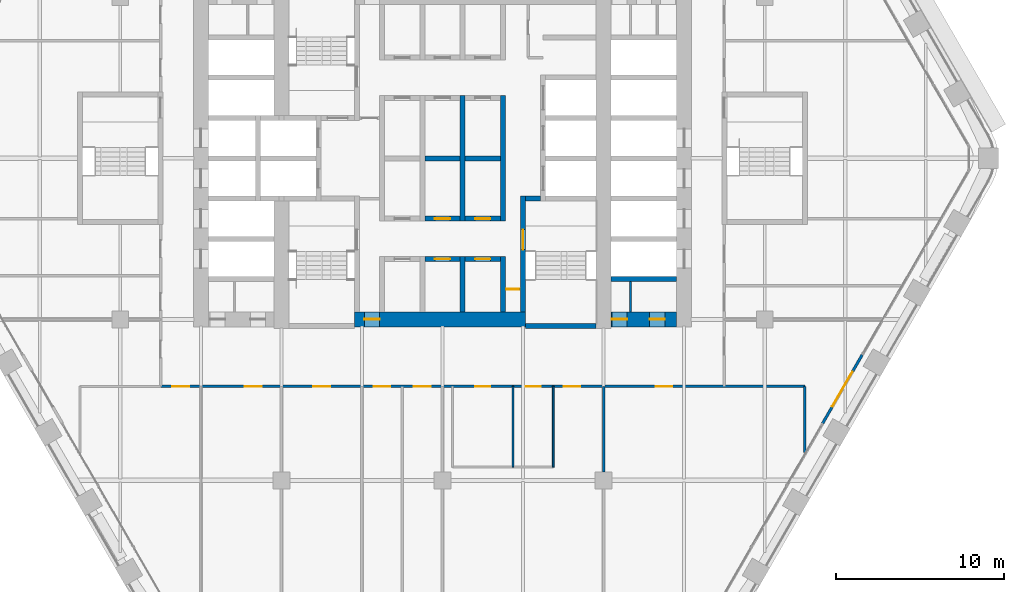
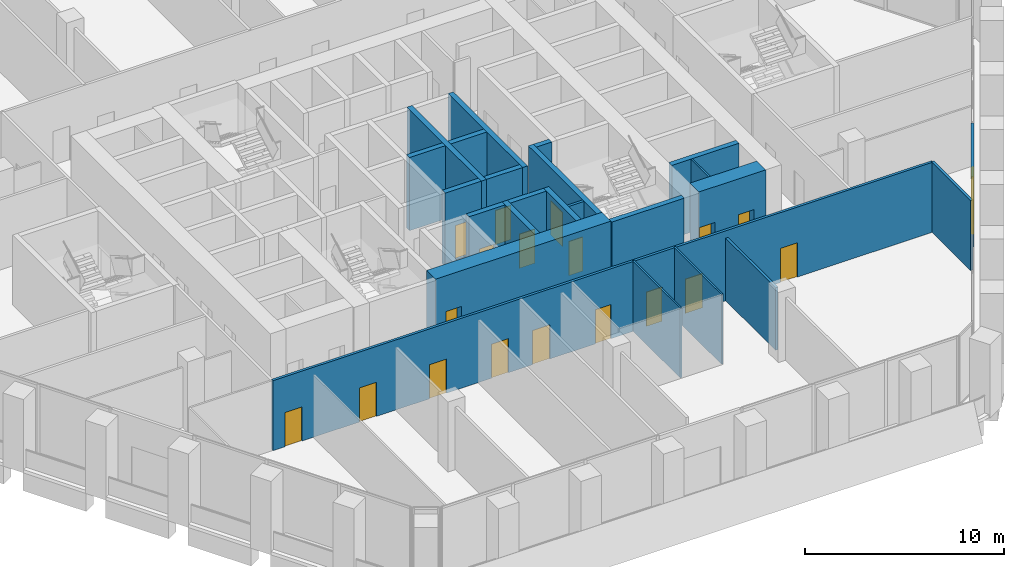
# One storey, part 14 of 23: 24 walls, 19 doors, 19 openings.
"""IFC4 building model written with IfcOpenShell, lengths in metres."""

from ifc_helpers import new_model, si_unit, direction, frame, frame_2d, origin, place, context, subcontext, project, spatial, rectangle, extrude, material, layer, layer_set, type_object, element, fill, save


model = new_model("IFC4")

# Units and contexts
model_context = context("Model", 3, precision=1e-05, world=origin(), true_north=direction((0.0, 1.0)))
body_context = subcontext(model_context, "Body", "Model", "MODEL_VIEW")
ifc_project = project(units=[si_unit("LENGTHUNIT", "METRE"), si_unit("AREAUNIT", "SQUARE_METRE"), si_unit("VOLUMEUNIT", "CUBIC_METRE"), si_unit("PLANEANGLEUNIT", "RADIAN"), si_unit("MASSUNIT", "GRAM", prefix="KILO")], contexts=[model_context])

# Site, building, storey
site_placement = place(None, origin())
site = spatial("IfcSite", under=ifc_project, at=site_placement, CompositionType="ELEMENT")
building_placement = place(site_placement, origin())
building = spatial("IfcBuilding", under=site, at=building_placement, Name="Kolab Exchange Tower", CompositionType="ELEMENT")
storey_placement = place(building_placement, frame((0.0, 0.0, 95.89990234375)))
storey = spatial("IfcBuildingStorey", under=building, at=storey_placement, Name="L18", CompositionType="ELEMENT", Elevation=95.89990234375)

# Wall, opening, door
ifc_material_1 = material(Name="Concrete C70/85", Category="concrete")
ifc_layer_1 = layer(ifc_material_1, 0.89990234375)
ifc_layer_set_1 = layer_set([ifc_layer_1], Name="Concrete C70/85")
wall_type_1 = type_object("IfcWallType", Name="CORE WALL 900 C70/85", PredefinedType="SHEAR", material=ifc_layer_set_1)
wall_1_placement = place(storey_placement, frame((-5.25, -9.60009765625, -0.199951171875), z_axis=(0.0, 0.0, 1.0), x_axis=(1.0, 0.0, 0.0)))
wall_1 = element("IfcWall", 1, at=wall_1_placement, inside=storey, type_object=wall_type_1, Name="wall/L18/core/003", PredefinedType="SHEAR", context=body_context, shape_type="SweptSolid", body=[
    extrude(rectangle(XDim=10.199951171875, YDim=0.89990234375, at=frame_2d((5.10009765625, 0.0))), origin(), (0.0, 0.0, 1.0), 4.5),
])
opening_1_placement = place(wall_1_placement, frame((0.60009765625, 0.0, 0.199951171875)))
opening_1 = element("IfcOpeningElement", 2, at=opening_1_placement, cuts=wall_1, Name="Opening D6-203", PredefinedType="OPENING", context=body_context, shape_type="SweptSolid", body=[
    extrude(rectangle(XDim=0.89990234375, YDim=2.10009765625, at=frame_2d((0.449951171875, 1.050048828125))), frame((0.0, 0.4599609375, 0.0), z_axis=(0.0, -1.0, 0.0), x_axis=(1.0, 0.0, 0.0)), (0.0, 0.0, 1.0), 0.919921875),
])
ifc_material_2 = material(Name="Steel S235", Category="steel")
door_type_1 = type_object("IfcDoorType", Name="CORE DOOR 900 EI 120", OperationType="SINGLE_SWING_LEFT", PredefinedType="DOOR", material=ifc_material_2)
door_1_placement = place(opening_1_placement, origin())
door_1 = element("IfcDoor", 3, at=door_1_placement, inside=storey, type_object=door_type_1, Name="Core lobby door", OperationType="SINGLE_SWING_RIGHT", OverallHeight=2.10009765625, OverallWidth=0.89990234375, PredefinedType="DOOR", context=body_context, shape_type="SweptSolid", body=[
    extrude(rectangle(XDim=0.89990234375, YDim=2.10009765625, at=frame_2d((0.449951171875, 1.050048828125))), frame((0.0, 0.02490234375, 0.0), z_axis=(0.0, -1.0, 0.0), x_axis=(1.0, 0.0, 0.0)), (0.0, 0.0, 1.0), 0.050048828125),
])
fill(opening_1, door_1)

# Wall, openings, doors
wall_2_placement = place(storey_placement, frame((10.050048828125, -9.60009765625, -0.199951171875), z_axis=(0.0, 0.0, 1.0), x_axis=(1.0, 0.0, 0.0)))
wall_2 = element("IfcWall", 4, at=wall_2_placement, inside=storey, type_object=wall_type_1, Name="wall/L18/core/004", PredefinedType="SHEAR", context=body_context, shape_type="SweptSolid", body=[
    extrude(rectangle(XDim=3.89990234375, YDim=0.89990234375, at=frame_2d((1.949951171875, 0.0))), origin(), (0.0, 0.0, 1.0), 4.5),
])
opening_2_placement = place(wall_2_placement, frame((0.050048828125, 0.0, 0.199951171875)))
opening_2 = element("IfcOpeningElement", 5, at=opening_2_placement, cuts=wall_2, Name="Opening D6-219", PredefinedType="OPENING", context=body_context, shape_type="SweptSolid", body=[
    extrude(rectangle(XDim=0.89990234375, YDim=2.10009765625, at=frame_2d((0.449951171875, 1.050048828125))), frame((0.0, 0.4599609375, 0.0), z_axis=(0.0, -1.0, 0.0), x_axis=(1.0, 0.0, 0.0)), (0.0, 0.0, 1.0), 0.919921875),
])
opening_3_placement = place(wall_2_placement, frame((2.300048828125, 0.0, 0.199951171875)))
opening_3 = element("IfcOpeningElement", 6, at=opening_3_placement, cuts=wall_2, Name="Opening D6-220", PredefinedType="OPENING", context=body_context, shape_type="SweptSolid", body=[
    extrude(rectangle(XDim=0.89990234375, YDim=2.10009765625, at=frame_2d((0.449951171875, 1.050048828125))), frame((0.0, 0.4599609375, 0.0), z_axis=(0.0, -1.0, 0.0), x_axis=(1.0, 0.0, 0.0)), (0.0, 0.0, 1.0), 0.919921875),
])
door_2_placement = place(opening_2_placement, origin())
door_2 = element("IfcDoor", 7, at=door_2_placement, inside=storey, type_object=door_type_1, Name="Service room door", OperationType="SINGLE_SWING_RIGHT", OverallHeight=2.10009765625, OverallWidth=0.89990234375, PredefinedType="DOOR", context=body_context, shape_type="SweptSolid", body=[
    extrude(rectangle(XDim=0.89990234375, YDim=2.10009765625, at=frame_2d((0.449951171875, 1.050048828125))), frame((0.0, 0.02490234375, 0.0), z_axis=(0.0, -1.0, 0.0), x_axis=(1.0, 0.0, 0.0)), (0.0, 0.0, 1.0), 0.050048828125),
])
fill(opening_2, door_2)
door_3_placement = place(opening_3_placement, origin())
door_3 = element("IfcDoor", 8, at=door_3_placement, inside=storey, type_object=door_type_1, Name="Service room door", OperationType="SINGLE_SWING_RIGHT", OverallHeight=2.10009765625, OverallWidth=0.89990234375, PredefinedType="DOOR", context=body_context, shape_type="SweptSolid", body=[
    extrude(rectangle(XDim=0.89990234375, YDim=2.10009765625, at=frame_2d((0.449951171875, 1.050048828125))), frame((0.0, 0.02490234375, 0.0), z_axis=(0.0, -1.0, 0.0), x_axis=(1.0, 0.0, 0.0)), (0.0, 0.0, 1.0), 0.050048828125),
])
fill(opening_3, door_3)

# Wall, opening, door
ifc_material_3 = material(Name="Aluminium EN AW-6063 T6", Category="aluminium")
ifc_layer_2 = layer(ifc_material_3, 0.159912109375)
ifc_layer_set_2 = layer_set([ifc_layer_2], Name="Aluminium EN AW-6063 T6")
wall_type_2 = type_object("IfcWallType", Name="DOOR SURROUND WALL 160 ALUMINIUM FRAMED", PredefinedType="PARTITIONING", material=ifc_layer_set_2)
wall_3_placement = place(storey_placement, frame((25.0166015625, -11.706787109375, 0.0), z_axis=(0.0, 0.0, 1.0), x_axis=(-0.499978080042, -0.866038058908, 0.0)))
wall_3 = element("IfcWall", 9, at=wall_3_placement, inside=storey, type_object=wall_type_2, Name="Door surround wall", PredefinedType="PARTITIONING", context=body_context, shape_type="SweptSolid", body=[
    extrude(rectangle(XDim=4.739990234375, YDim=0.159912109375, at=frame_2d((2.3701171875, 0.0))), origin(), (0.0, 0.0, 1.0), 4.300048828125),
])
opening_4_placement = place(wall_3_placement, frame((1.169921875, 0.0, 0.0)))
opening_4 = element("IfcOpeningElement", 10, at=opening_4_placement, cuts=wall_3, Name="Opening GD1-036", PredefinedType="OPENING", context=body_context, shape_type="SweptSolid", body=[
    extrude(rectangle(XDim=2.39990234375, YDim=2.39990234375, at=frame_2d((1.199951171875, 1.199951171875))), frame((0.0, 0.08984375, 0.0), z_axis=(0.0, -1.0, 0.0), x_axis=(1.0, 0.0, 0.0)), (0.0, 0.0, 1.0), 0.179931640625),
])
door_type_2 = type_object("IfcDoorType", Name="LOGGIA SLIDING GLASS DOOR 2400 X 2400", OperationType="DOUBLE_DOOR_SINGLE_SWING", PredefinedType="DOOR", material=ifc_material_3)
door_4_placement = place(opening_4_placement, origin())
door_4 = element("IfcDoor", 11, at=door_4_placement, inside=storey, type_object=door_type_2, Name="Loggia door", OperationType="DOUBLE_DOOR_SLIDING", OverallHeight=2.39990234375, OverallWidth=2.39990234375, PredefinedType="DOOR", context=body_context, shape_type="SweptSolid", body=[
    extrude(rectangle(XDim=2.39990234375, YDim=2.39990234375, at=frame_2d((1.199951171875, 1.199951171875))), frame((0.0, 0.02490234375, 0.0), z_axis=(0.0, -1.0, 0.0), x_axis=(1.0, 0.0, 0.0)), (0.0, 0.0, 1.0), 0.050048828125),
])
fill(opening_4, door_4)

# Wall
ifc_material_4 = material(Name="Concrete C50/60", Category="concrete")
ifc_layer_3 = layer(ifc_material_4, 0.300048828125)
ifc_layer_set_3 = layer_set([ifc_layer_3], Name="Concrete C50/60")
wall_type_3 = type_object("IfcWallType", Name="LIFT SHAFT WALL 300 C50/60", PredefinedType="STANDARD", material=ifc_layer_set_3)
wall_4_placement = place(storey_placement, frame((10.050048828125, -7.199951171875, -0.199951171875), z_axis=(0.0, 0.0, 1.0), x_axis=(1.0, 0.0, 0.0)))
element("IfcWall", 12, at=wall_4_placement, inside=storey, type_object=wall_type_3, Name="wall/L18/core/006", PredefinedType="STANDARD", context=body_context, shape_type="SweptSolid", body=[
    extrude(rectangle(XDim=3.89990234375, YDim=0.300048828125, at=frame_2d((1.949951171875, 0.0))), origin(), (0.0, 0.0, 1.0), 4.5),
])

# Wall, opening, door
wall_5_placement = place(storey_placement, frame((-1.050048828125, -6.0, -0.199951171875), z_axis=(0.0, 0.0, 1.0), x_axis=(1.0, 0.0, 0.0)))
wall_5 = element("IfcWall", 13, at=wall_5_placement, inside=storey, type_object=wall_type_3, Name="wall/L18/core/008", PredefinedType="STANDARD", context=body_context, shape_type="SweptSolid", body=[
    extrude(rectangle(XDim=2.10009765625, YDim=0.300048828125, at=frame_2d((1.050048828125, 0.0))), origin(), (0.0, 0.0, 1.0), 4.5),
])
opening_5_placement = place(wall_5_placement, frame((0.60009765625, 0.0, 0.199951171875)))
opening_5 = element("IfcOpeningElement", 14, at=opening_5_placement, cuts=wall_5, Name="Opening D6-224", PredefinedType="OPENING", context=body_context, shape_type="SweptSolid", body=[
    extrude(rectangle(XDim=0.89990234375, YDim=2.10009765625, at=frame_2d((0.449951171875, 1.050048828125))), frame((0.0, 0.16015625, 0.0), z_axis=(0.0, -1.0, 0.0), x_axis=(1.0, 0.0, 0.0)), (0.0, 0.0, 1.0), 0.320068359375),
])
door_5_placement = place(opening_5_placement, frame((0.89990234375, 0.0, 0.0), z_axis=(0.0, 0.0, 1.0), x_axis=(-1.0, 0.0, 0.0)))
door_5 = element("IfcDoor", 15, at=door_5_placement, inside=storey, type_object=door_type_1, Name="Service room door", OperationType="SINGLE_SWING_RIGHT", OverallHeight=2.10009765625, OverallWidth=0.89990234375, PredefinedType="DOOR", context=body_context, shape_type="SweptSolid", body=[
    extrude(rectangle(XDim=0.89990234375, YDim=2.10009765625, at=frame_2d((0.449951171875, 1.050048828125))), frame((0.0, 0.02490234375, 0.0), z_axis=(0.0, -1.0, 0.0), x_axis=(1.0, 0.0, 0.0)), (0.0, 0.0, 1.0), 0.050048828125),
])
fill(opening_5, door_5)

wall_6_placement = place(storey_placement, frame((1.35009765625, -6.0, -0.199951171875), z_axis=(0.0, 0.0, 1.0), x_axis=(1.0, 0.0, 0.0)))
wall_6 = element("IfcWall", 16, at=wall_6_placement, inside=storey, type_object=wall_type_3, Name="wall/L18/core/009", PredefinedType="STANDARD", context=body_context, shape_type="SweptSolid", body=[
    extrude(rectangle(XDim=2.099853515625, YDim=0.300048828125, at=frame_2d((1.0498046875, 0.0))), origin(), (0.0, 0.0, 1.0), 4.5),
])
opening_6_placement = place(wall_6_placement, frame((0.60009765625, 0.0, 0.199951171875)))
opening_6 = element("IfcOpeningElement", 17, at=opening_6_placement, cuts=wall_6, Name="Opening D6-200", PredefinedType="OPENING", context=body_context, shape_type="SweptSolid", body=[
    extrude(rectangle(XDim=0.89990234375, YDim=2.10009765625, at=frame_2d((0.449951171875, 1.050048828125))), frame((0.0, 0.16015625, 0.0), z_axis=(0.0, -1.0, 0.0), x_axis=(1.0, 0.0, 0.0)), (0.0, 0.0, 1.0), 0.320068359375),
])
door_6_placement = place(opening_6_placement, frame((0.89990234375, 0.0, 0.0), z_axis=(0.0, 0.0, 1.0), x_axis=(-1.0, 0.0, 0.0)))
door_6 = element("IfcDoor", 18, at=door_6_placement, inside=storey, type_object=door_type_1, Name="Service room door", OperationType="SINGLE_SWING_RIGHT", OverallHeight=2.10009765625, OverallWidth=0.89990234375, PredefinedType="DOOR", context=body_context, shape_type="SweptSolid", body=[
    extrude(rectangle(XDim=0.89990234375, YDim=2.10009765625, at=frame_2d((0.449951171875, 1.050048828125))), frame((0.0, 0.02490234375, 0.0), z_axis=(0.0, -1.0, 0.0), x_axis=(1.0, 0.0, 0.0)), (0.0, 0.0, 1.0), 0.050048828125),
])
fill(opening_6, door_6)

wall_7_placement = place(storey_placement, frame((-1.050048828125, -3.60009765625, -0.199951171875), z_axis=(0.0, 0.0, 1.0), x_axis=(1.0, 0.0, 0.0)))
wall_7 = element("IfcWall", 19, at=wall_7_placement, inside=storey, type_object=wall_type_3, Name="wall/L18/core/015", PredefinedType="STANDARD", context=body_context, shape_type="SweptSolid", body=[
    extrude(rectangle(XDim=2.10009765625, YDim=0.300048828125, at=frame_2d((1.050048828125, 0.0))), origin(), (0.0, 0.0, 1.0), 4.5),
])
opening_7_placement = place(wall_7_placement, frame((0.60009765625, 0.0, 0.199951171875)))
opening_7 = element("IfcOpeningElement", 20, at=opening_7_placement, cuts=wall_7, Name="Opening D6-215", PredefinedType="OPENING", context=body_context, shape_type="SweptSolid", body=[
    extrude(rectangle(XDim=0.89990234375, YDim=2.10009765625, at=frame_2d((0.449951171875, 1.050048828125))), frame((0.0, 0.16015625, 0.0), z_axis=(0.0, -1.0, 0.0), x_axis=(1.0, 0.0, 0.0)), (0.0, 0.0, 1.0), 0.320068359375),
])
door_7_placement = place(opening_7_placement, origin())
door_7 = element("IfcDoor", 21, at=door_7_placement, inside=storey, type_object=door_type_1, Name="Service room door", OperationType="SINGLE_SWING_LEFT", OverallHeight=2.10009765625, OverallWidth=0.89990234375, PredefinedType="DOOR", context=body_context, shape_type="SweptSolid", body=[
    extrude(rectangle(XDim=0.89990234375, YDim=2.10009765625, at=frame_2d((0.449951171875, 1.050048828125))), frame((0.0, 0.02490234375, 0.0), z_axis=(0.0, -1.0, 0.0), x_axis=(1.0, 0.0, 0.0)), (0.0, 0.0, 1.0), 0.050048828125),
])
fill(opening_7, door_7)

wall_8_placement = place(storey_placement, frame((1.35009765625, -3.60009765625, -0.199951171875), z_axis=(0.0, 0.0, 1.0), x_axis=(1.0, 0.0, 0.0)))
wall_8 = element("IfcWall", 22, at=wall_8_placement, inside=storey, type_object=wall_type_3, Name="wall/L18/core/016", PredefinedType="STANDARD", context=body_context, shape_type="SweptSolid", body=[
    extrude(rectangle(XDim=2.099853515625, YDim=0.300048828125, at=frame_2d((1.0498046875, 0.0))), origin(), (0.0, 0.0, 1.0), 4.5),
])
opening_8_placement = place(wall_8_placement, frame((0.60009765625, 0.0, 0.199951171875)))
opening_8 = element("IfcOpeningElement", 23, at=opening_8_placement, cuts=wall_8, Name="Opening D6-197", PredefinedType="OPENING", context=body_context, shape_type="SweptSolid", body=[
    extrude(rectangle(XDim=0.89990234375, YDim=2.10009765625, at=frame_2d((0.449951171875, 1.050048828125))), frame((0.0, 0.16015625, 0.0), z_axis=(0.0, -1.0, 0.0), x_axis=(1.0, 0.0, 0.0)), (0.0, 0.0, 1.0), 0.320068359375),
])
door_8_placement = place(opening_8_placement, origin())
door_8 = element("IfcDoor", 24, at=door_8_placement, inside=storey, type_object=door_type_1, Name="Service room door", OperationType="SINGLE_SWING_RIGHT", OverallHeight=2.10009765625, OverallWidth=0.89990234375, PredefinedType="DOOR", context=body_context, shape_type="SweptSolid", body=[
    extrude(rectangle(XDim=0.89990234375, YDim=2.10009765625, at=frame_2d((0.449951171875, 1.050048828125))), frame((0.0, 0.02490234375, 0.0), z_axis=(0.0, -1.0, 0.0), x_axis=(1.0, 0.0, 0.0)), (0.0, 0.0, 1.0), 0.050048828125),
])
fill(opening_8, door_8)

# Walls
wall_9_placement = place(storey_placement, frame((-1.050048828125, 0.0, -0.199951171875), z_axis=(0.0, 0.0, 1.0), x_axis=(1.0, 0.0, 0.0)))
element("IfcWall", 25, at=wall_9_placement, inside=storey, type_object=wall_type_3, Name="wall/L18/core/027", PredefinedType="STANDARD", context=body_context, shape_type="SweptSolid", body=[
    extrude(rectangle(XDim=2.10009765625, YDim=0.300048828125, at=frame_2d((1.050048828125, 0.0))), origin(), (0.0, 0.0, 1.0), 4.5),
])
wall_10_placement = place(storey_placement, frame((1.35009765625, 0.0, -0.199951171875), z_axis=(0.0, 0.0, 1.0), x_axis=(1.0, 0.0, 0.0)))
element("IfcWall", 26, at=wall_10_placement, inside=storey, type_object=wall_type_3, Name="wall/L18/core/028", PredefinedType="STANDARD", context=body_context, shape_type="SweptSolid", body=[
    extrude(rectangle(XDim=2.099853515625, YDim=0.300048828125, at=frame_2d((1.0498046875, 0.0))), origin(), (0.0, 0.0, 1.0), 4.5),
])
wall_11_placement = place(storey_placement, frame((1.199951171875, -9.14990234375, -0.199951171875), z_axis=(0.0, 0.0, 1.0), x_axis=(0.0, 1.0, 0.0)))
element("IfcWall", 27, at=wall_11_placement, inside=storey, type_object=wall_type_3, Name="wall/L18/core/072", PredefinedType="STANDARD", context=body_context, shape_type="SweptSolid", body=[
    extrude(rectangle(XDim=3.2998046875, YDim=0.300048828125, at=frame_2d((1.64990234375, 0.0))), origin(), (0.0, 0.0, 1.0), 4.5),
])
wall_12_placement = place(storey_placement, frame((1.199951171875, -3.75, -0.199951171875), z_axis=(0.0, 0.0, 1.0), x_axis=(0.0, 1.0, 0.0)))
element("IfcWall", 28, at=wall_12_placement, inside=storey, type_object=wall_type_3, Name="wall/L18/core/073", PredefinedType="STANDARD", context=body_context, shape_type="SweptSolid", body=[
    extrude(rectangle(XDim=7.5, YDim=0.300048828125, at=frame_2d((3.75, 0.0))), origin(), (0.0, 0.0, 1.0), 4.5),
])
wall_13_placement = place(storey_placement, frame((3.60009765625, -9.14990234375, -0.199951171875), z_axis=(0.0, 0.0, 1.0), x_axis=(0.0, 1.0, 0.0)))
element("IfcWall", 29, at=wall_13_placement, inside=storey, type_object=wall_type_3, Name="wall/L18/core/075", PredefinedType="STANDARD", context=body_context, shape_type="SweptSolid", body=[
    extrude(rectangle(XDim=3.2998046875, YDim=0.300048828125, at=frame_2d((1.64990234375, 0.0))), origin(), (0.0, 0.0, 1.0), 4.5),
])
wall_14_placement = place(storey_placement, frame((3.60009765625, -3.75, -0.199951171875), z_axis=(0.0, 0.0, 1.0), x_axis=(0.0, 1.0, 0.0)))
element("IfcWall", 30, at=wall_14_placement, inside=storey, type_object=wall_type_3, Name="wall/L18/core/076", PredefinedType="STANDARD", context=body_context, shape_type="SweptSolid", body=[
    extrude(rectangle(XDim=7.5, YDim=0.300048828125, at=frame_2d((3.75, 0.0))), origin(), (0.0, 0.0, 1.0), 4.5),
])
ifc_material_5 = material(Name="Gypsum board", Category="gypsum")
ifc_layer_4 = layer(ifc_material_5, 0.10009765625)
ifc_layer_set_4 = layer_set([ifc_layer_4], Name="Gypsum board")
wall_type_4 = type_object("IfcWallType", Name="PARTITION 100", PredefinedType="PARTITIONING", material=ifc_layer_set_4)
wall_15_placement = place(storey_placement, frame((11.199951171875, -9.14990234375, 0.0), z_axis=(0.0, 0.0, 1.0), x_axis=(0.0, 1.0, 0.0)))
element("IfcWall", 31, at=wall_15_placement, inside=storey, type_object=wall_type_4, Name="Partition 005", PredefinedType="PARTITIONING", context=body_context, shape_type="SweptSolid", body=[
    extrude(rectangle(XDim=1.7998046875, YDim=0.10009765625, at=frame_2d((0.89990234375, 0.0))), origin(), (0.0, 0.0, 1.0), 4.300048828125),
])
for number, where, z_axis, x_axis, name in (
    (32, (6.60009765625, -18.39990234375, 0.0), (0.0, 0.0, 1.0), (0.0, 1.0, 0.0), "Partition 011"),
    (33, (4.199951171875, -18.39990234375, 0.0), (0.0, 0.0, 1.0), (0.0, 1.0, 0.0), "Partition 014"),
):
    element("IfcWall", number, at=place(storey_placement, frame(where, z_axis=z_axis, x_axis=x_axis)), inside=storey, type_object=wall_type_4, Name=name, PredefinedType="PARTITIONING", context=body_context, shape_type="SweptSolid", body=[
        extrude(rectangle(XDim=4.7998046875, YDim=0.10009765625, at=frame_2d((2.39990234375, 0.0))), origin(), (0.0, 0.0, 1.0), 4.300048828125),
    ])
ifc_layer_5 = layer(ifc_material_5, 0.14990234375)
ifc_layer_set_5 = layer_set([ifc_layer_5], Name="Gypsum board")
wall_type_5 = type_object("IfcWallType", Name="PARTITION 150 FIRE-RATED", PredefinedType="PARTITIONING", material=ifc_layer_set_5)
wall_16_placement = place(storey_placement, frame((21.60009765625, -17.544677734375, 0.0), z_axis=(0.0, 0.0, 1.0), x_axis=(0.0, 1.0, 0.0)))
element("IfcWall", 34, at=wall_16_placement, inside=storey, type_object=wall_type_5, Name="Partition 000", PredefinedType="PARTITIONING", context=body_context, shape_type="SweptSolid", body=[
    extrude(rectangle(XDim=3.944580078125, YDim=0.14990234375, at=frame_2d((1.97216796875, 0.0))), origin(), (0.0, 0.0, 1.0), 4.300048828125),
])
wall_17_placement = place(storey_placement, frame((9.60009765625, -18.699951171875, 0.0), z_axis=(0.0, 0.0, 1.0), x_axis=(0.0, 1.0, 0.0)))
element("IfcWall", 35, at=wall_17_placement, inside=storey, type_object=wall_type_5, Name="Partition 008", PredefinedType="PARTITIONING", context=body_context, shape_type="SweptSolid", body=[
    extrude(rectangle(XDim=5.099853515625, YDim=0.14990234375, at=frame_2d((2.5498046875, 0.0))), origin(), (0.0, 0.0, 1.0), 3.843017578125),
])

# Wall, openings, doors
wall_18_placement = place(storey_placement, frame((-16.800048828125, -13.60009765625, 0.0), z_axis=(0.0, 0.0, 1.0), x_axis=(1.0, 0.0, 0.0)))
wall_18 = element("IfcWall", 36, at=wall_18_placement, inside=storey, type_object=wall_type_5, Name="Partition 037", PredefinedType="PARTITIONING", context=body_context, shape_type="SweptSolid", body=[
    extrude(rectangle(XDim=38.400146484375, YDim=0.14990234375, at=frame_2d((19.2001953125, 0.0))), origin(), (0.0, 0.0, 1.0), 4.300048828125),
])
opening_9_placement = place(wall_18_placement, frame((0.699951171875, 0.0, 0.0)))
opening_9 = element("IfcOpeningElement", 37, at=opening_9_placement, cuts=wall_18, Name="Opening D1-263", PredefinedType="OPENING", context=body_context, shape_type="SweptSolid", body=[
    extrude(rectangle(XDim=1.0, YDim=2.10009765625, at=frame_2d((0.5, 1.050048828125))), frame((0.0, 0.0849609375, 0.0), z_axis=(0.0, -1.0, 0.0), x_axis=(1.0, 0.0, 0.0)), (0.0, 0.0, 1.0), 0.169921875),
])
opening_10_placement = place(wall_18_placement, frame((5.02490234375, 0.0, 0.0)))
opening_10 = element("IfcOpeningElement", 38, at=opening_10_placement, cuts=wall_18, Name="Opening D1-264", PredefinedType="OPENING", context=body_context, shape_type="SweptSolid", body=[
    extrude(rectangle(XDim=1.0, YDim=2.10009765625, at=frame_2d((0.5, 1.050048828125))), frame((0.0, 0.0849609375, 0.0), z_axis=(0.0, -1.0, 0.0), x_axis=(1.0, 0.0, 0.0)), (0.0, 0.0, 1.0), 0.169921875),
])
opening_11_placement = place(wall_18_placement, frame((9.10009765625, 0.0, 0.0)))
opening_11 = element("IfcOpeningElement", 39, at=opening_11_placement, cuts=wall_18, Name="Opening D1-265", PredefinedType="OPENING", context=body_context, shape_type="SweptSolid", body=[
    extrude(rectangle(XDim=1.0, YDim=2.10009765625, at=frame_2d((0.5, 1.050048828125))), frame((0.0, 0.0849609375, 0.0), z_axis=(0.0, -1.0, 0.0), x_axis=(1.0, 0.0, 0.0)), (0.0, 0.0, 1.0), 0.169921875),
])
opening_12_placement = place(wall_18_placement, frame((12.699951171875, 0.0, 0.0)))
opening_12 = element("IfcOpeningElement", 40, at=opening_12_placement, cuts=wall_18, Name="Opening D1-266", PredefinedType="OPENING", context=body_context, shape_type="SweptSolid", body=[
    extrude(rectangle(XDim=1.0, YDim=2.10009765625, at=frame_2d((0.5, 1.050048828125))), frame((0.0, 0.0849609375, 0.0), z_axis=(0.0, -1.0, 0.0), x_axis=(1.0, 0.0, 0.0)), (0.0, 0.0, 1.0), 0.169921875),
])
opening_13_placement = place(wall_18_placement, frame((15.10009765625, 0.0, 0.0)))
opening_13 = element("IfcOpeningElement", 41, at=opening_13_placement, cuts=wall_18, Name="Opening D1-267", PredefinedType="OPENING", context=body_context, shape_type="SweptSolid", body=[
    extrude(rectangle(XDim=1.0, YDim=2.10009765625, at=frame_2d((0.5, 1.050048828125))), frame((0.0, 0.0849609375, 0.0), z_axis=(0.0, -1.0, 0.0), x_axis=(1.0, 0.0, 0.0)), (0.0, 0.0, 1.0), 0.169921875),
])
opening_14_placement = place(wall_18_placement, frame((24.014892578125, 0.0, 0.0)))
opening_14 = element("IfcOpeningElement", 42, at=opening_14_placement, cuts=wall_18, Name="Opening D1-268", PredefinedType="OPENING", context=body_context, shape_type="SweptSolid", body=[
    extrude(rectangle(XDim=1.0, YDim=2.10009765625, at=frame_2d((0.5, 1.050048828125))), frame((0.0, 0.0849609375, 0.0), z_axis=(0.0, -1.0, 0.0), x_axis=(1.0, 0.0, 0.0)), (0.0, 0.0, 1.0), 0.169921875),
])
opening_15_placement = place(wall_18_placement, frame((29.5, 0.0, 0.0)))
opening_15 = element("IfcOpeningElement", 43, at=opening_15_placement, cuts=wall_18, Name="Opening D1-269", PredefinedType="OPENING", context=body_context, shape_type="SweptSolid", body=[
    extrude(rectangle(XDim=1.0, YDim=2.10009765625, at=frame_2d((0.5, 1.050048828125))), frame((0.0, 0.0849609375, 0.0), z_axis=(0.0, -1.0, 0.0), x_axis=(1.0, 0.0, 0.0)), (0.0, 0.0, 1.0), 0.169921875),
])
opening_16_placement = place(wall_18_placement, frame((18.75, 0.0, 0.0)))
opening_16 = element("IfcOpeningElement", 44, at=opening_16_placement, cuts=wall_18, Name="Opening D3-025", PredefinedType="OPENING", context=body_context, shape_type="SweptSolid", body=[
    extrude(rectangle(XDim=0.89990234375, YDim=2.10009765625, at=frame_2d((0.449951171875, 1.050048828125))), frame((0.0, 0.0849609375, 0.0), z_axis=(0.0, -1.0, 0.0), x_axis=(1.0, 0.0, 0.0)), (0.0, 0.0, 1.0), 0.169921875),
])
opening_17_placement = place(wall_18_placement, frame((21.75, 0.0, 0.0)))
opening_17 = element("IfcOpeningElement", 45, at=opening_17_placement, cuts=wall_18, Name="Opening D3-026", PredefinedType="OPENING", context=body_context, shape_type="SweptSolid", body=[
    extrude(rectangle(XDim=0.89990234375, YDim=2.10009765625, at=frame_2d((0.449951171875, 1.050048828125))), frame((0.0, 0.0849609375, 0.0), z_axis=(0.0, -1.0, 0.0), x_axis=(1.0, 0.0, 0.0)), (0.0, 0.0, 1.0), 0.169921875),
])
door_type_3 = type_object("IfcDoorType", Name="FLUSH DOOR 1000 FD60", OperationType="SINGLE_SWING_LEFT", PredefinedType="DOOR", material=ifc_material_2)
door_9_placement = place(opening_9_placement, frame((1.0, 0.0, 0.0), z_axis=(0.0, 0.0, 1.0), x_axis=(-1.0, 0.0, 0.0)))
door_9 = element("IfcDoor", 46, at=door_9_placement, inside=storey, type_object=door_type_3, Name="Door L18-057", OperationType="SINGLE_SWING_RIGHT", OverallHeight=2.10009765625, OverallWidth=1.0, PredefinedType="DOOR", context=body_context, shape_type="SweptSolid", body=[
    extrude(rectangle(XDim=1.0, YDim=2.10009765625, at=frame_2d((0.5, 1.050048828125))), frame((0.0, 0.02490234375, 0.0), z_axis=(0.0, -1.0, 0.0), x_axis=(1.0, 0.0, 0.0)), (0.0, 0.0, 1.0), 0.050048828125),
])
fill(opening_9, door_9)
door_10_placement = place(opening_10_placement, frame((1.0, 0.0, 0.0), z_axis=(0.0, 0.0, 1.0), x_axis=(-1.0, 0.0, 0.0)))
door_10 = element("IfcDoor", 47, at=door_10_placement, inside=storey, type_object=door_type_3, Name="Door L18-058", OperationType="SINGLE_SWING_RIGHT", OverallHeight=2.10009765625, OverallWidth=1.0, PredefinedType="DOOR", context=body_context, shape_type="SweptSolid", body=[
    extrude(rectangle(XDim=1.0, YDim=2.10009765625, at=frame_2d((0.5, 1.050048828125))), frame((0.0, 0.02490234375, 0.0), z_axis=(0.0, -1.0, 0.0), x_axis=(1.0, 0.0, 0.0)), (0.0, 0.0, 1.0), 0.050048828125),
])
fill(opening_10, door_10)
door_11_placement = place(opening_11_placement, frame((1.0, 0.0, 0.0), z_axis=(0.0, 0.0, 1.0), x_axis=(-1.0, 0.0, 0.0)))
door_11 = element("IfcDoor", 48, at=door_11_placement, inside=storey, type_object=door_type_3, Name="Door L18-059", OperationType="SINGLE_SWING_LEFT", OverallHeight=2.10009765625, OverallWidth=1.0, PredefinedType="DOOR", context=body_context, shape_type="SweptSolid", body=[
    extrude(rectangle(XDim=1.0, YDim=2.10009765625, at=frame_2d((0.5, 1.050048828125))), frame((0.0, 0.02490234375, 0.0), z_axis=(0.0, -1.0, 0.0), x_axis=(1.0, 0.0, 0.0)), (0.0, 0.0, 1.0), 0.050048828125),
])
fill(opening_11, door_11)
door_12_placement = place(opening_12_placement, frame((1.0, 0.0, 0.0), z_axis=(0.0, 0.0, 1.0), x_axis=(-1.0, 0.0, 0.0)))
door_12 = element("IfcDoor", 49, at=door_12_placement, inside=storey, type_object=door_type_3, Name="Door L18-060", OperationType="SINGLE_SWING_LEFT", OverallHeight=2.10009765625, OverallWidth=1.0, PredefinedType="DOOR", context=body_context, shape_type="SweptSolid", body=[
    extrude(rectangle(XDim=1.0, YDim=2.10009765625, at=frame_2d((0.5, 1.050048828125))), frame((0.0, 0.02490234375, 0.0), z_axis=(0.0, -1.0, 0.0), x_axis=(1.0, 0.0, 0.0)), (0.0, 0.0, 1.0), 0.050048828125),
])
fill(opening_12, door_12)
door_13_placement = place(opening_13_placement, frame((1.0, 0.0, 0.0), z_axis=(0.0, 0.0, 1.0), x_axis=(-1.0, 0.0, 0.0)))
door_13 = element("IfcDoor", 50, at=door_13_placement, inside=storey, type_object=door_type_3, Name="Door L18-061", OperationType="SINGLE_SWING_LEFT", OverallHeight=2.10009765625, OverallWidth=1.0, PredefinedType="DOOR", context=body_context, shape_type="SweptSolid", body=[
    extrude(rectangle(XDim=1.0, YDim=2.10009765625, at=frame_2d((0.5, 1.050048828125))), frame((0.0, 0.02490234375, 0.0), z_axis=(0.0, -1.0, 0.0), x_axis=(1.0, 0.0, 0.0)), (0.0, 0.0, 1.0), 0.050048828125),
])
fill(opening_13, door_13)
door_14_placement = place(opening_14_placement, frame((1.0, 0.0, 0.0), z_axis=(0.0, 0.0, 1.0), x_axis=(-1.0, 0.0, 0.0)))
door_14 = element("IfcDoor", 51, at=door_14_placement, inside=storey, type_object=door_type_3, Name="Door L18-062", OperationType="SINGLE_SWING_LEFT", OverallHeight=2.10009765625, OverallWidth=1.0, PredefinedType="DOOR", context=body_context, shape_type="SweptSolid", body=[
    extrude(rectangle(XDim=1.0, YDim=2.10009765625, at=frame_2d((0.5, 1.050048828125))), frame((0.0, 0.02490234375, 0.0), z_axis=(0.0, -1.0, 0.0), x_axis=(1.0, 0.0, 0.0)), (0.0, 0.0, 1.0), 0.050048828125),
])
fill(opening_14, door_14)
door_15_placement = place(opening_15_placement, frame((1.0, 0.0, 0.0), z_axis=(0.0, 0.0, 1.0), x_axis=(-1.0, 0.0, 0.0)))
door_15 = element("IfcDoor", 52, at=door_15_placement, inside=storey, type_object=door_type_3, Name="Door L18-063", OperationType="SINGLE_SWING_LEFT", OverallHeight=2.10009765625, OverallWidth=1.0, PredefinedType="DOOR", context=body_context, shape_type="SweptSolid", body=[
    extrude(rectangle(XDim=1.0, YDim=2.10009765625, at=frame_2d((0.5, 1.050048828125))), frame((0.0, 0.02490234375, 0.0), z_axis=(0.0, -1.0, 0.0), x_axis=(1.0, 0.0, 0.0)), (0.0, 0.0, 1.0), 0.050048828125),
])
fill(opening_15, door_15)
door_type_4 = type_object("IfcDoorType", Name="FLUSH DOOR 900 FD60", OperationType="SINGLE_SWING_LEFT", PredefinedType="DOOR", material=ifc_material_2)
door_16_placement = place(opening_16_placement, frame((0.89990234375, 0.0, 0.0), z_axis=(0.0, 0.0, 1.0), x_axis=(-1.0, 0.0, 0.0)))
door_16 = element("IfcDoor", 53, at=door_16_placement, inside=storey, type_object=door_type_4, Name="Door L18-076", OperationType="SINGLE_SWING_LEFT", OverallHeight=2.10009765625, OverallWidth=0.89990234375, PredefinedType="DOOR", context=body_context, shape_type="SweptSolid", body=[
    extrude(rectangle(XDim=0.89990234375, YDim=2.10009765625, at=frame_2d((0.449951171875, 1.050048828125))), frame((0.0, 0.02490234375, 0.0), z_axis=(0.0, -1.0, 0.0), x_axis=(1.0, 0.0, 0.0)), (0.0, 0.0, 1.0), 0.050048828125),
])
fill(opening_16, door_16)
door_17_placement = place(opening_17_placement, frame((0.89990234375, 0.0, 0.0), z_axis=(0.0, 0.0, 1.0), x_axis=(-1.0, 0.0, 0.0)))
door_17 = element("IfcDoor", 54, at=door_17_placement, inside=storey, type_object=door_type_4, Name="Door L18-077", OperationType="SINGLE_SWING_LEFT", OverallHeight=2.10009765625, OverallWidth=0.89990234375, PredefinedType="DOOR", context=body_context, shape_type="SweptSolid", body=[
    extrude(rectangle(XDim=0.89990234375, YDim=2.10009765625, at=frame_2d((0.449951171875, 1.050048828125))), frame((0.0, 0.02490234375, 0.0), z_axis=(0.0, -1.0, 0.0), x_axis=(1.0, 0.0, 0.0)), (0.0, 0.0, 1.0), 0.050048828125),
])
fill(opening_17, door_17)

# Wall, opening, door
wall_19_placement = place(storey_placement, frame((3.75, -7.800048828125, 0.0), z_axis=(0.0, 0.0, 1.0), x_axis=(1.0, 0.0, 0.0)))
wall_19 = element("IfcWall", 55, at=wall_19_placement, inside=storey, type_object=wall_type_5, Name="Partition 042", PredefinedType="PARTITIONING", context=body_context, shape_type="SweptSolid", body=[
    extrude(rectangle(XDim=0.89990234375, YDim=0.14990234375, at=frame_2d((0.449951171875, 0.0))), origin(), (0.0, 0.0, 1.0), 4.300048828125),
])
opening_18_placement = place(wall_19_placement, frame((0.050048828125, 0.0, 0.0)))
opening_18 = element("IfcOpeningElement", 56, at=opening_18_placement, cuts=wall_19, Name="Opening D7-022", PredefinedType="OPENING", context=body_context, shape_type="SweptSolid", body=[
    extrude(rectangle(XDim=0.800048828125, YDim=2.10009765625, at=frame_2d((0.39990234375, 1.050048828125))), frame((0.0, 0.0849609375, 0.0), z_axis=(0.0, -1.0, 0.0), x_axis=(1.0, 0.0, 0.0)), (0.0, 0.0, 1.0), 0.169921875),
])
door_type_5 = type_object("IfcDoorType", Name="FLUSH DOOR 800 FD60", OperationType="SINGLE_SWING_LEFT", PredefinedType="DOOR", material=ifc_material_2)
door_18_placement = place(opening_18_placement, frame((0.800048828125, 0.0, 0.0), z_axis=(0.0, 0.0, 1.0), x_axis=(-1.0, 0.0, 0.0)))
door_18 = element("IfcDoor", 57, at=door_18_placement, inside=storey, type_object=door_type_5, Name="Door L18-043", OperationType="SINGLE_SWING_RIGHT", OverallHeight=2.10009765625, OverallWidth=0.800048828125, PredefinedType="DOOR", context=body_context, shape_type="SweptSolid", body=[
    extrude(rectangle(XDim=0.800048828125, YDim=2.10009765625, at=frame_2d((0.39990234375, 1.050048828125))), frame((0.0, 0.02490234375, 0.0), z_axis=(0.0, -1.0, 0.0), x_axis=(1.0, 0.0, 0.0)), (0.0, 0.0, 1.0), 0.050048828125),
])
fill(opening_18, door_18)

# Walls
ifc_layer_6 = layer(ifc_material_4, 0.300048828125)
ifc_layer_set_6 = layer_set([ifc_layer_6], Name="Concrete C50/60")
wall_type_6 = type_object("IfcWallType", Name="STAIR ENCLOSURE WALL 300 C50/60", PredefinedType="STANDARD", material=ifc_layer_set_6)
wall_20_placement = place(storey_placement, frame((4.949951171875, -10.0, -0.199951171875), z_axis=(0.0, 0.0, 1.0), x_axis=(1.0, 0.0, 0.0)))
element("IfcWall", 58, at=wall_20_placement, inside=storey, type_object=wall_type_6, Name="wall/L18/core/001", PredefinedType="STANDARD", context=body_context, shape_type="SweptSolid", body=[
    extrude(rectangle(XDim=4.199951171875, YDim=0.300048828125, at=frame_2d((2.10009765625, 0.0))), origin(), (0.0, 0.0, 1.0), 4.5),
])
wall_21_placement = place(storey_placement, frame((4.949951171875, -2.39990234375, -0.199951171875), z_axis=(0.0, 0.0, 1.0), x_axis=(1.0, 0.0, 0.0)))
element("IfcWall", 59, at=wall_21_placement, inside=storey, type_object=wall_type_6, Name="wall/L18/core/021", PredefinedType="STANDARD", context=body_context, shape_type="SweptSolid", body=[
    extrude(rectangle(XDim=0.900146484375, YDim=0.300048828125, at=frame_2d((0.4501953125, 0.0))), origin(), (0.0, 0.0, 1.0), 4.5),
])

# Wall, opening, door
wall_22_placement = place(storey_placement, frame((4.800048828125, -9.14990234375, -0.199951171875), z_axis=(0.0, 0.0, 1.0), x_axis=(0.0, 1.0, 0.0)))
wall_22 = element("IfcWall", 60, at=wall_22_placement, inside=storey, type_object=wall_type_6, Name="wall/L18/core/078", PredefinedType="STANDARD", context=body_context, shape_type="SweptSolid", body=[
    extrude(rectangle(XDim=6.89990234375, YDim=0.300048828125, at=frame_2d((3.449951171875, 0.0))), origin(), (0.0, 0.0, 1.0), 4.5),
])
opening_19_placement = place(wall_22_placement, frame((3.699951171875, 0.0, 0.199951171875)))
opening_19 = element("IfcOpeningElement", 61, at=opening_19_placement, cuts=wall_22, Name="Opening D4-045", PredefinedType="OPENING", context=body_context, shape_type="SweptSolid", body=[
    extrude(rectangle(XDim=1.199951171875, YDim=2.10009765625, at=frame_2d((0.60009765625, 1.050048828125))), frame((0.0, 0.16015625, 0.0), z_axis=(0.0, -1.0, 0.0), x_axis=(1.0, 0.0, 0.0)), (0.0, 0.0, 1.0), 0.320068359375),
])
door_type_6 = type_object("IfcDoorType", Name="STAIR DOOR 1200 EI 120", OperationType="SINGLE_SWING_LEFT", PredefinedType="DOOR", material=ifc_material_2)
door_19_placement = place(opening_19_placement, frame((1.199951171875, 0.0, 0.0), z_axis=(0.0, 0.0, 1.0), x_axis=(-1.0, 0.0, 0.0)))
door_19 = element("IfcDoor", 62, at=door_19_placement, inside=storey, type_object=door_type_6, Name="Stair 2 door", OperationType="SINGLE_SWING_RIGHT", OverallHeight=2.10009765625, OverallWidth=1.199951171875, PredefinedType="DOOR", context=body_context, shape_type="SweptSolid", body=[
    extrude(rectangle(XDim=1.199951171875, YDim=2.10009765625, at=frame_2d((0.60009765625, 1.050048828125))), frame((0.0, 0.02490234375, 0.0), z_axis=(0.0, -1.0, 0.0), x_axis=(1.0, 0.0, 0.0)), (0.0, 0.0, 1.0), 0.050048828125),
])
fill(opening_19, door_19)

save(model, "model.ifc")
